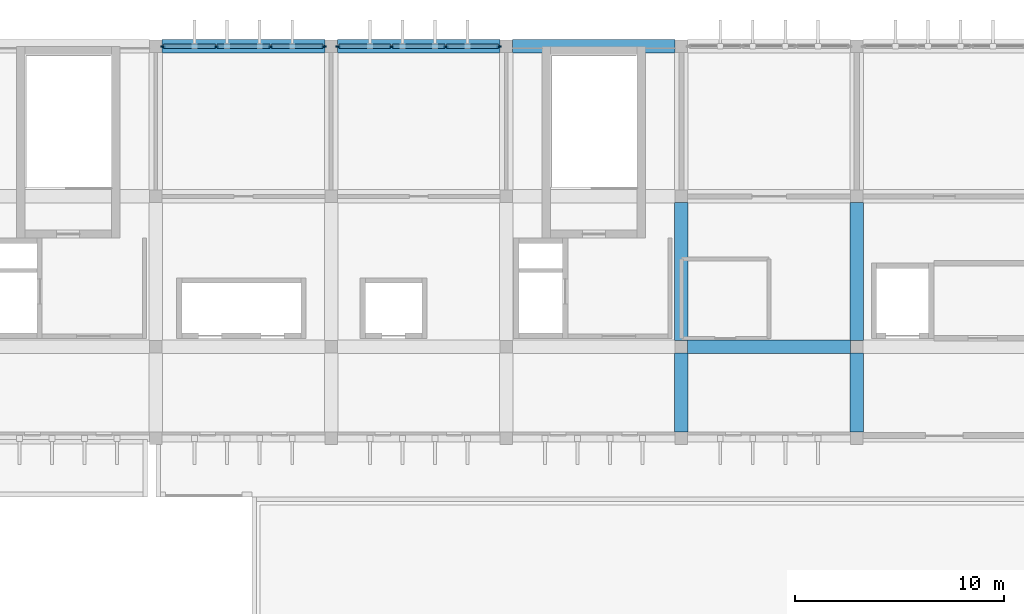
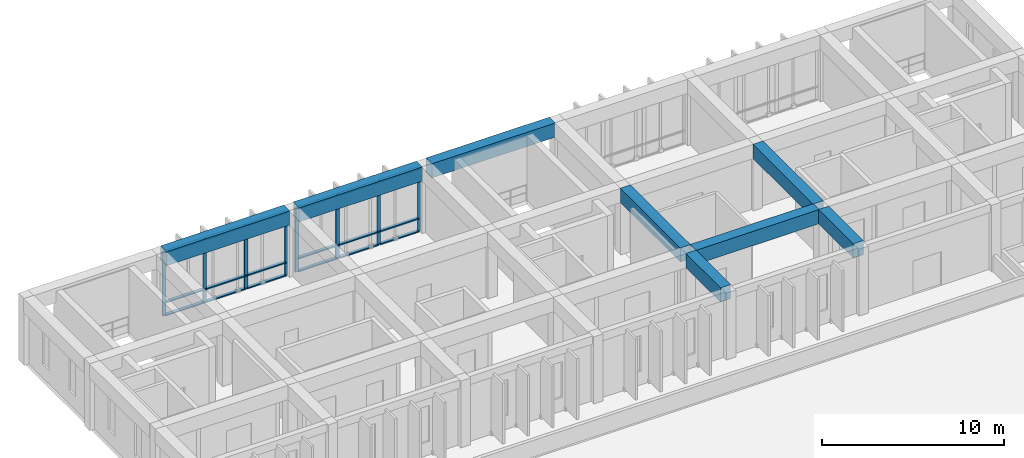
# One storey, part 8 of 16: 26 members, 8 beams, 2 elements without a shape of their own.
"""IFC4 building model written with IfcOpenShell, lengths in metres."""

import ifcopenshell
import ifcopenshell.guid

model = None  # the IFC model being written
_history = None  # IfcOwnerHistory: only IFC2X3 demands one
_inside = {}  # id of a spatial element -> (the spatial element, [elements in it])
_under = {}  # id of a project, library or spatial element -> (it, [spatial elements below it])
_declared = {}  # id of a project -> (the project, [libraries it declares])
_typed = {}  # id of a type object -> (the type object, [elements of that type])
_made_of = {}  # id of a material, layer set ... -> (it, [elements and type objects made of it])


def new_model(schema):
    """Start an empty IFC model of exactly this schema.

    Asked for "IFC4X3", IfcOpenShell would pick the latest addendum, in which some entities
    have other attributes; the version numbers below select the first issue.
    IFC2X3 requires an IfcOwnerHistory on every rooted entity: one is made here for all.
    """
    global model, _history
    if schema == "IFC4X3":
        model = ifcopenshell.file(schema_version=(4, 3, 0, 0))
    else:
        model = ifcopenshell.file(schema=schema)
    _inside.clear()
    _under.clear()
    _declared.clear()
    _typed.clear()
    _made_of.clear()
    _history = None
    if model.schema == "IFC2X3":
        org = make("IfcOrganization", Name="unknown")
        user = make(
            "IfcPersonAndOrganization",
            ThePerson=make("IfcPerson", FamilyName="unknown"),
            TheOrganization=org,
        )
        app = make(
            "IfcApplication",
            ApplicationDeveloper=org,
            Version="unknown",
            ApplicationFullName="unknown",
            ApplicationIdentifier="unknown",
        )
        _history = make(
            "IfcOwnerHistory",
            OwningUser=user,
            OwningApplication=app,
            ChangeAction="ADDED",
            CreationDate=0,
        )
    return model


def make(cls, **values):
    """One entity of the class cls with the attributes given. An attribute that is None is left unset."""
    return model.create_entity(
        cls, **{name: value for name, value in values.items() if value is not None}
    )


def rooted(cls, **values):
    """An entity with a GlobalId (a new one), such as an element, a storey or a relation."""
    return make(cls, GlobalId=ifcopenshell.guid.new(), OwnerHistory=_history, **values)


def si_unit(unit_type, name, prefix=None):
    """IfcSIUnit, for example si_unit("LENGTHUNIT", "METRE", prefix="MILLI")."""
    return make("IfcSIUnit", UnitType=unit_type, Prefix=prefix, Name=name)


def assignment(units):
    """IfcUnitAssignment: the units of a project."""
    return None if units is None else make("IfcUnitAssignment", Units=units)


def point(xyz):
    """IfcCartesianPoint."""
    return None if xyz is None else make("IfcCartesianPoint", Coordinates=xyz)


def direction(xyz):
    """IfcDirection."""
    return None if xyz is None else make("IfcDirection", DirectionRatios=xyz)


def frame(location, z_axis=None, x_axis=None):
    """IfcAxis2Placement3D, a coordinate frame: its origin and axes. An axis left out is left unset."""
    return make(
        "IfcAxis2Placement3D",
        Location=point(location),
        Axis=direction(z_axis),
        RefDirection=direction(x_axis),
    )


def frame_2d(location, x_axis=None):
    """IfcAxis2Placement2D, a coordinate frame in the plane: its origin and x axis."""
    return make(
        "IfcAxis2Placement2D", Location=point(location), RefDirection=direction(x_axis)
    )


def origin():
    """The frame at (0, 0, 0) with its axes left unset."""
    return frame((0.0, 0.0, 0.0))


def origin_2d():
    """The frame at (0, 0) in the plane with its x axis left unset."""
    return frame_2d((0.0, 0.0))


def place(relative_to, where):
    """IfcLocalPlacement: puts the frame where relative to a parent placement (None: the world)."""
    return make(
        "IfcLocalPlacement", PlacementRelTo=relative_to, RelativePlacement=where
    )


def context(
    kind, dimensions, precision=None, world=None, true_north=None, identifier=None
):
    """IfcGeometricRepresentationContext, for example the 3D "Model" context."""
    return make(
        "IfcGeometricRepresentationContext",
        ContextIdentifier=identifier,
        ContextType=kind,
        CoordinateSpaceDimension=dimensions,
        Precision=precision,
        WorldCoordinateSystem=world,
        TrueNorth=true_north,
    )


def subcontext(parent, identifier, kind, view, scale=None):
    """IfcGeometricRepresentationSubContext, for example "Body" below "Model"."""
    return make(
        "IfcGeometricRepresentationSubContext",
        ContextIdentifier=identifier,
        ContextType=kind,
        ParentContext=parent,
        TargetScale=scale,
        TargetView=view,
    )


def project(units=None, contexts=None):
    """IfcProject with its units and contexts."""
    return rooted(
        "IfcProject",
        Name="project",
        RepresentationContexts=contexts,
        UnitsInContext=assignment(units),
    )


def spatial(cls, under=None, at=None, **own):
    """A site, building, storey or space (cls), placed at a placement, below another one or the project."""
    s = rooted(cls, ObjectPlacement=at, **own)
    if under is not None:
        _under.setdefault(under.id(), (under, []))[1].append(s)
    return s


def profile(cls, at=None, kind="AREA", **sizes):
    """A parametric profile (cls). Its sizes go by their IFC names, for example OverallWidth=200.0."""
    return make(cls, ProfileType=kind, Position=at, **sizes)


def rectangle(**sizes):
    """IfcRectangleProfileDef."""
    return profile("IfcRectangleProfileDef", **sizes)


def extrude(swept, where, along, depth):
    """IfcExtrudedAreaSolid: the profile swept, set in the frame where, extruded along a direction by depth."""
    return make(
        "IfcExtrudedAreaSolid",
        SweptArea=swept,
        Position=where,
        ExtrudedDirection=direction(along),
        Depth=depth,
    )


def shape(context_of_items, identifier, shape_type, items):
    """IfcShapeRepresentation: the items that make up one representation, for example the "Body"."""
    return make(
        "IfcShapeRepresentation",
        ContextOfItems=context_of_items,
        RepresentationIdentifier=identifier,
        RepresentationType=shape_type,
        Items=items,
    )


def material(Name=None, Category=None):
    """IfcMaterial."""
    return make("IfcMaterial", Name=Name, Category=Category)


def material_profile(
    of_material, cross_section, Name=None, Category=None, Priority=None
):
    """IfcMaterialProfile: a cross section and its material."""
    return make(
        "IfcMaterialProfile",
        Name=Name,
        Material=of_material,
        Profile=cross_section,
        Priority=Priority,
        Category=Category,
    )


def profile_set(profiles, Name=None, composite=None):
    """IfcMaterialProfileSet."""
    return make(
        "IfcMaterialProfileSet",
        Name=Name,
        MaterialProfiles=profiles,
        CompositeProfile=composite,
    )


def made_of(thing, what):
    """Note that an element or type object is made of a material, layer set ...; save() writes the relation."""
    if what is not None:
        _made_of.setdefault(what.id(), (what, []))[1].append(thing)
    return thing


def type_object(cls, material=None, **own):
    """A type object (cls), such as IfcWallType, which elements share."""
    return made_of(rooted(cls, **own), material)


def element(
    cls,
    number,
    at=None,
    inside=None,
    cuts=None,
    type_object=None,
    material=None,
    context=None,
    identifier="Body",
    shape_type=None,
    held_by="IfcProductDefinitionShape",
    body=None,
    shapes=None,
    **own,
):
    """One element of the class cls, such as IfcWall. Its Tag is "e" and its number.

    at: its placement. inside: the storey or other place that contains it. cuts: it is an
    opening in that element (IfcRelVoidsElement). A single representation is given by context,
    identifier, shape_type and body (its items); several are given by shapes. held_by: the class
    of the entity that holds the representations. save() writes the other relations.
    """
    e = rooted(cls, Tag="e%d" % number, ObjectPlacement=at, **own)
    if body is not None:
        shapes = [shape(context, identifier, shape_type, body)]
    if shapes is not None:
        e.Representation = make(held_by, Representations=shapes)
    if inside is not None:
        _inside.setdefault(inside.id(), (inside, []))[1].append(e)
    if cuts is not None:
        rooted(
            "IfcRelVoidsElement", RelatingBuildingElement=cuts, RelatedOpeningElement=e
        )
    if type_object is not None:
        _typed.setdefault(type_object.id(), (type_object, []))[1].append(e)
    return made_of(e, material)


def aggregate(whole, parts):
    """IfcRelAggregates: a whole, such as a stair, and the parts it consists of."""
    return rooted("IfcRelAggregates", RelatingObject=whole, RelatedObjects=parts)


def save(model, path):
    """Write the relations noted so far, then the file.

    IfcRelAggregates (storeys below a building ...), IfcRelContainedInSpatialStructure (elements
    in a storey), IfcRelDefinesByType, IfcRelAssociatesMaterial and IfcRelDeclares: one each for
    every whole, place, type object, material and project.
    """
    for whole, parts in _under.values():
        aggregate(whole, parts)
    for where, things in _inside.values():
        rooted(
            "IfcRelContainedInSpatialStructure",
            RelatedElements=things,
            RelatingStructure=where,
        )
    for kind, things in _typed.values():
        rooted("IfcRelDefinesByType", RelatedObjects=things, RelatingType=kind)
    for what, things in _made_of.values():
        rooted("IfcRelAssociatesMaterial", RelatedObjects=things, RelatingMaterial=what)
    for by, libraries in _declared.values():
        rooted("IfcRelDeclares", RelatingContext=by, RelatedDefinitions=libraries)
    model.write(path)


model = new_model("IFC4")

# Units and contexts
model_context = context("Model", 3, precision=1e-05, world=origin(), true_north=direction((0.0, 1.0)))
body_context = subcontext(model_context, "Body", "Model", "MODEL_VIEW")
ifc_project = project(units=[si_unit("LENGTHUNIT", "METRE"), si_unit("AREAUNIT", "SQUARE_METRE"), si_unit("VOLUMEUNIT", "CUBIC_METRE"), si_unit("PLANEANGLEUNIT", "RADIAN"), si_unit("MASSUNIT", "GRAM", prefix="KILO")], contexts=[model_context])

# Site, building, storey
site_placement = place(None, origin())
site = spatial("IfcSite", under=ifc_project, at=site_placement, CompositionType="ELEMENT")
building_placement = place(site_placement, origin())
building = spatial("IfcBuilding", under=site, at=building_placement, Name="Kenerak Square Central Library", CompositionType="ELEMENT")
storey_placement = place(building_placement, frame((0.0, 0.0, 27.840087890625)))
storey = spatial("IfcBuildingStorey", under=building, at=storey_placement, Name="L06", CompositionType="ELEMENT", Elevation=27.840087890625)

# Beams
ifc_material_1 = material(Name="Concrete C45/55", Category="concrete")
ifc_material_profile_1 = material_profile(ifc_material_1, rectangle(XDim=0.64990234375, YDim=0.949951171875, at=origin_2d()), Name="RC 650x950")
ifc_profile_set_1 = profile_set([ifc_material_profile_1], Name="Concrete C45/55")
beam_type = type_object("IfcBeamType", Name="Book Stack Girder B-02 RC 650x950 C45/55", PredefinedType="BEAM", material=ifc_profile_set_1)
beam_1_placement = place(storey_placement, frame((92.0, 91.89990234375, 4.0048828125), z_axis=(0.0, 1.0, 0.0), x_axis=(-1.0, 0.0, 0.0)))
element("IfcBeam", 1, at=beam_1_placement, inside=storey, type_object=beam_type, Name="Roof Girder B-02 L06 11-92", PredefinedType="BEAM", context=body_context, shape_type="SweptSolid", body=[
    extrude(rectangle(XDim=0.64990234375, YDim=0.949951171875, at=origin_2d()), origin(), (0.0, 0.0, 1.0), 3.800048828125),
])
beam_2_placement = place(storey_placement, frame((92.0, 96.300048828125, 4.0048828125), z_axis=(0.0, 1.0, 0.0), x_axis=(-1.0, 0.0, 0.0)))
element("IfcBeam", 2, at=beam_2_placement, inside=storey, type_object=beam_type, Name="Roof Girder B-02 L06 11-96", PredefinedType="BEAM", context=body_context, shape_type="SweptSolid", body=[
    extrude(rectangle(XDim=0.64990234375, YDim=0.949951171875, at=origin_2d()), origin(), (0.0, 0.0, 1.0), 6.599853515625),
])
beam_3_placement = place(storey_placement, frame((100.39990234375, 91.89990234375, 4.0048828125), z_axis=(0.0, 1.0, 0.0), x_axis=(-1.0, 0.0, 0.0)))
element("IfcBeam", 3, at=beam_3_placement, inside=storey, type_object=beam_type, Name="Roof Girder B-02 L06 12-92", PredefinedType="BEAM", context=body_context, shape_type="SweptSolid", body=[
    extrude(rectangle(XDim=0.64990234375, YDim=0.949951171875, at=origin_2d()), origin(), (0.0, 0.0, 1.0), 3.800048828125),
])
beam_4_placement = place(storey_placement, frame((100.39990234375, 96.300048828125, 4.0048828125), z_axis=(0.0, 1.0, 0.0), x_axis=(-1.0, 0.0, 0.0)))
element("IfcBeam", 4, at=beam_4_placement, inside=storey, type_object=beam_type, Name="Roof Girder B-02 L06 12-96", PredefinedType="BEAM", context=body_context, shape_type="SweptSolid", body=[
    extrude(rectangle(XDim=0.64990234375, YDim=0.949951171875, at=origin_2d()), origin(), (0.0, 0.0, 1.0), 6.599853515625),
])
beam_5_placement = place(storey_placement, frame((92.300048828125, 96.0, 4.0048828125), z_axis=(1.0, 0.0, 0.0), x_axis=(0.0, 1.0, 0.0)))
element("IfcBeam", 5, at=beam_5_placement, inside=storey, type_object=beam_type, Name="Roof Girder B-02 L06 EW-92-96", PredefinedType="BEAM", context=body_context, shape_type="SweptSolid", body=[
    extrude(rectangle(XDim=0.64990234375, YDim=0.949951171875, at=origin_2d()), origin(), (0.0, 0.0, 1.0), 7.800048828125),
])
beam_6_placement = place(storey_placement, frame((67.10009765625, 110.39990234375, 4.0048828125), z_axis=(1.0, 0.0, 0.0), x_axis=(0.0, 1.0, 0.0)))
element("IfcBeam", 6, at=beam_6_placement, inside=storey, type_object=beam_type, Name="Roof Girder B-02 L06 EW-67-110", PredefinedType="BEAM", context=body_context, shape_type="SweptSolid", body=[
    extrude(rectangle(XDim=0.64990234375, YDim=0.949951171875, at=origin_2d()), origin(), (0.0, 0.0, 1.0), 7.7998046875),
])
for number, where, z_axis, x_axis, name in (
    (7, (75.5, 110.39990234375, 4.0048828125), (1.0, 0.0, 0.0), (0.0, 1.0, 0.0), "Roof Girder B-02 L06 EW-75-110"),
    (8, (83.89990234375, 110.39990234375, 4.0048828125), (1.0, 0.0, 0.0), (0.0, 1.0, 0.0), "Roof Girder B-02 L06 EW-84-110"),
):
    element("IfcBeam", number, at=place(storey_placement, frame(where, z_axis=z_axis, x_axis=x_axis)), inside=storey, type_object=beam_type, Name=name, PredefinedType="BEAM", context=body_context, shape_type="SweptSolid", body=[
        extrude(rectangle(XDim=0.64990234375, YDim=0.949951171875, at=origin_2d()), origin(), (0.0, 0.0, 1.0), 7.800048828125),
    ])

# Curtain wall, members
ifc_material_2 = material(Name="Anodised aluminium and solar-control low-E glazing", Category="aluminium")
curtain_wall_type = type_object("IfcCurtainWallType", Name="Curtain Wall CW-V5-78x42 7800x4280", PredefinedType="USERDEFINED", material=ifc_material_2)
curtain_wall_1_placement = place(storey_placement, origin())
curtain_wall_1 = element("IfcCurtainWall", 9, at=curtain_wall_1_placement, inside=storey, type_object=curtain_wall_type, Name="Curtain Wall CW-V5-78x42 L06 0163", ObjectType="CURTAIN WALL", PredefinedType="USERDEFINED")
ifc_material_3 = material(Name="Anodised aluminium 6063-T6", Category="aluminium")
ifc_material_profile_2 = material_profile(ifc_material_3, rectangle(XDim=0.074951171875, YDim=0.219970703125, at=origin_2d()), Name="AL MULLION 75x220")
ifc_profile_set_2 = profile_set([ifc_material_profile_2], Name="Anodised aluminium 6063-T6")
member_type_1 = type_object("IfcMemberType", Name="Curtain Mullion CM-02 75x220", PredefinedType="MULLION", material=ifc_profile_set_2)
member_1_placement = place(storey_placement, frame((67.137451171875, 110.39990234375, 0.0), z_axis=(0.0, 0.0, 1.0), x_axis=(0.0, 1.0, 0.0)))
member_1 = element("IfcMember", 10, at=member_1_placement, type_object=member_type_1, Name="CW-V5-78x42 Mullion 1", PredefinedType="MULLION", context=body_context, shape_type="SweptSolid", body=[
    extrude(rectangle(XDim=0.074951171875, YDim=0.219970703125, at=origin_2d()), origin(), (0.0, 0.0, 1.0), 4.280029296875),
])
member_2_placement = place(storey_placement, frame((69.699951171875, 110.39990234375, 0.0), z_axis=(0.0, 0.0, 1.0), x_axis=(0.0, 1.0, 0.0)))
member_2 = element("IfcMember", 11, at=member_2_placement, type_object=member_type_1, Name="CW-V5-78x42 Mullion 2", PredefinedType="MULLION", context=body_context, shape_type="SweptSolid", body=[
    extrude(rectangle(XDim=0.074951171875, YDim=0.219970703125, at=origin_2d()), origin(), (0.0, 0.0, 1.0), 4.280029296875),
])
member_3_placement = place(storey_placement, frame((72.300048828125, 110.39990234375, 0.0), z_axis=(0.0, 0.0, 1.0), x_axis=(0.0, 1.0, 0.0)))
member_3 = element("IfcMember", 12, at=member_3_placement, type_object=member_type_1, Name="CW-V5-78x42 Mullion 3", PredefinedType="MULLION", context=body_context, shape_type="SweptSolid", body=[
    extrude(rectangle(XDim=0.074951171875, YDim=0.219970703125, at=origin_2d()), origin(), (0.0, 0.0, 1.0), 4.280029296875),
])
member_4_placement = place(storey_placement, frame((74.862548828125, 110.39990234375, 0.0), z_axis=(0.0, 0.0, 1.0), x_axis=(0.0, 1.0, 0.0)))
member_4 = element("IfcMember", 13, at=member_4_placement, type_object=member_type_1, Name="CW-V5-78x42 Mullion 4", PredefinedType="MULLION", context=body_context, shape_type="SweptSolid", body=[
    extrude(rectangle(XDim=0.074951171875, YDim=0.219970703125, at=origin_2d()), origin(), (0.0, 0.0, 1.0), 4.280029296875),
])

curtain_wall_2_placement = place(storey_placement, origin())
curtain_wall_2 = element("IfcCurtainWall", 14, at=curtain_wall_2_placement, inside=storey, type_object=curtain_wall_type, Name="Curtain Wall CW-V5-78x42 L06 0164", ObjectType="CURTAIN WALL", PredefinedType="USERDEFINED")
member_5_placement = place(storey_placement, frame((75.53759765625, 110.39990234375, 0.0), z_axis=(0.0, 0.0, 1.0), x_axis=(0.0, 1.0, 0.0)))
member_5 = element("IfcMember", 15, at=member_5_placement, type_object=member_type_1, Name="CW-V5-78x42 Mullion 1", PredefinedType="MULLION", context=body_context, shape_type="SweptSolid", body=[
    extrude(rectangle(XDim=0.074951171875, YDim=0.219970703125, at=origin_2d()), origin(), (0.0, 0.0, 1.0), 4.280029296875),
])
member_6_placement = place(storey_placement, frame((78.10009765625, 110.39990234375, 0.0), z_axis=(0.0, 0.0, 1.0), x_axis=(0.0, 1.0, 0.0)))
member_6 = element("IfcMember", 16, at=member_6_placement, type_object=member_type_1, Name="CW-V5-78x42 Mullion 2", PredefinedType="MULLION", context=body_context, shape_type="SweptSolid", body=[
    extrude(rectangle(XDim=0.074951171875, YDim=0.219970703125, at=origin_2d()), origin(), (0.0, 0.0, 1.0), 4.280029296875),
])
member_7_placement = place(storey_placement, frame((80.699951171875, 110.39990234375, 0.0), z_axis=(0.0, 0.0, 1.0), x_axis=(0.0, 1.0, 0.0)))
member_7 = element("IfcMember", 17, at=member_7_placement, type_object=member_type_1, Name="CW-V5-78x42 Mullion 3", PredefinedType="MULLION", context=body_context, shape_type="SweptSolid", body=[
    extrude(rectangle(XDim=0.074951171875, YDim=0.219970703125, at=origin_2d()), origin(), (0.0, 0.0, 1.0), 4.280029296875),
])
member_8_placement = place(storey_placement, frame((83.262451171875, 110.39990234375, 0.0), z_axis=(0.0, 0.0, 1.0), x_axis=(0.0, 1.0, 0.0)))
member_8 = element("IfcMember", 18, at=member_8_placement, type_object=member_type_1, Name="CW-V5-78x42 Mullion 4", PredefinedType="MULLION", context=body_context, shape_type="SweptSolid", body=[
    extrude(rectangle(XDim=0.074951171875, YDim=0.219970703125, at=origin_2d()), origin(), (0.0, 0.0, 1.0), 4.280029296875),
])

# Member
ifc_material_profile_3 = material_profile(ifc_material_3, rectangle(XDim=0.199951171875, YDim=0.074951171875, at=origin_2d()), Name="AL TRANSOM 200x75")
ifc_profile_set_3 = profile_set([ifc_material_profile_3], Name="Anodised aluminium 6063-T6")
member_type_2 = type_object("IfcMemberType", Name="Curtain Transom CT-12 200x75", PredefinedType="USERDEFINED", material=ifc_profile_set_3)
member_9_placement = place(storey_placement, frame((67.175048828125, 110.39990234375, 0.037353515625), z_axis=(1.0, 0.0, 0.0), x_axis=(0.0, 1.0, 0.0)))
member_9 = element("IfcMember", 19, at=member_9_placement, type_object=member_type_2, Name="CW-V5-78x42 Transom 1.1", ObjectType="TRANSOM", PredefinedType="USERDEFINED", context=body_context, shape_type="SweptSolid", body=[
    extrude(rectangle(XDim=0.199951171875, YDim=0.074951171875, at=origin_2d()), origin(), (0.0, 0.0, 1.0), 2.487548828125),
])

member_10_placement = place(storey_placement, frame((67.175048828125, 110.39990234375, 0.89990234375), z_axis=(1.0, 0.0, 0.0), x_axis=(0.0, 1.0, 0.0)))
member_10 = element("IfcMember", 20, at=member_10_placement, type_object=member_type_2, Name="CW-V5-78x42 Transom 1.2", ObjectType="TRANSOM", PredefinedType="USERDEFINED", context=body_context, shape_type="SweptSolid", body=[
    extrude(rectangle(XDim=0.199951171875, YDim=0.074951171875, at=origin_2d()), origin(), (0.0, 0.0, 1.0), 2.487548828125),
])

member_11_placement = place(storey_placement, frame((67.175048828125, 110.39990234375, 4.242431640625), z_axis=(1.0, 0.0, 0.0), x_axis=(0.0, 1.0, 0.0)))
member_11 = element("IfcMember", 21, at=member_11_placement, type_object=member_type_2, Name="CW-V5-78x42 Transom 1.3", ObjectType="TRANSOM", PredefinedType="USERDEFINED", context=body_context, shape_type="SweptSolid", body=[
    extrude(rectangle(XDim=0.199951171875, YDim=0.074951171875, at=origin_2d()), origin(), (0.0, 0.0, 1.0), 2.487548828125),
])

member_12_placement = place(storey_placement, frame((69.737548828125, 110.39990234375, 0.037353515625), z_axis=(1.0, 0.0, 0.0), x_axis=(0.0, 1.0, 0.0)))
member_12 = element("IfcMember", 22, at=member_12_placement, type_object=member_type_2, Name="CW-V5-78x42 Transom 2.1", ObjectType="TRANSOM", PredefinedType="USERDEFINED", context=body_context, shape_type="SweptSolid", body=[
    extrude(rectangle(XDim=0.199951171875, YDim=0.074951171875, at=origin_2d()), origin(), (0.0, 0.0, 1.0), 2.52490234375),
])

member_13_placement = place(storey_placement, frame((69.737548828125, 110.39990234375, 0.89990234375), z_axis=(1.0, 0.0, 0.0), x_axis=(0.0, 1.0, 0.0)))
member_13 = element("IfcMember", 23, at=member_13_placement, type_object=member_type_2, Name="CW-V5-78x42 Transom 2.2", ObjectType="TRANSOM", PredefinedType="USERDEFINED", context=body_context, shape_type="SweptSolid", body=[
    extrude(rectangle(XDim=0.199951171875, YDim=0.074951171875, at=origin_2d()), origin(), (0.0, 0.0, 1.0), 2.52490234375),
])

member_14_placement = place(storey_placement, frame((69.737548828125, 110.39990234375, 4.242431640625), z_axis=(1.0, 0.0, 0.0), x_axis=(0.0, 1.0, 0.0)))
member_14 = element("IfcMember", 24, at=member_14_placement, type_object=member_type_2, Name="CW-V5-78x42 Transom 2.3", ObjectType="TRANSOM", PredefinedType="USERDEFINED", context=body_context, shape_type="SweptSolid", body=[
    extrude(rectangle(XDim=0.199951171875, YDim=0.074951171875, at=origin_2d()), origin(), (0.0, 0.0, 1.0), 2.52490234375),
])

member_15_placement = place(storey_placement, frame((72.33740234375, 110.39990234375, 0.037353515625), z_axis=(1.0, 0.0, 0.0), x_axis=(0.0, 1.0, 0.0)))
member_15 = element("IfcMember", 25, at=member_15_placement, type_object=member_type_2, Name="CW-V5-78x42 Transom 3.1", ObjectType="TRANSOM", PredefinedType="USERDEFINED", context=body_context, shape_type="SweptSolid", body=[
    extrude(rectangle(XDim=0.199951171875, YDim=0.074951171875, at=origin_2d()), origin(), (0.0, 0.0, 1.0), 2.487548828125),
])

member_16_placement = place(storey_placement, frame((72.33740234375, 110.39990234375, 0.89990234375), z_axis=(1.0, 0.0, 0.0), x_axis=(0.0, 1.0, 0.0)))
member_16 = element("IfcMember", 26, at=member_16_placement, type_object=member_type_2, Name="CW-V5-78x42 Transom 3.2", ObjectType="TRANSOM", PredefinedType="USERDEFINED", context=body_context, shape_type="SweptSolid", body=[
    extrude(rectangle(XDim=0.199951171875, YDim=0.074951171875, at=origin_2d()), origin(), (0.0, 0.0, 1.0), 2.487548828125),
])

member_17_placement = place(storey_placement, frame((72.33740234375, 110.39990234375, 4.242431640625), z_axis=(1.0, 0.0, 0.0), x_axis=(0.0, 1.0, 0.0)))
member_17 = element("IfcMember", 27, at=member_17_placement, type_object=member_type_2, Name="CW-V5-78x42 Transom 3.3", ObjectType="TRANSOM", PredefinedType="USERDEFINED", context=body_context, shape_type="SweptSolid", body=[
    extrude(rectangle(XDim=0.199951171875, YDim=0.074951171875, at=origin_2d()), origin(), (0.0, 0.0, 1.0), 2.487548828125),
])

aggregate(curtain_wall_1, [member_1, member_2, member_3, member_4, member_9, member_10, member_11, member_12, member_13, member_14, member_15, member_16, member_17])

member_18_placement = place(storey_placement, frame((75.574951171875, 110.39990234375, 0.037353515625), z_axis=(1.0, 0.0, 0.0), x_axis=(0.0, 1.0, 0.0)))
member_18 = element("IfcMember", 28, at=member_18_placement, type_object=member_type_2, Name="CW-V5-78x42 Transom 1.1", ObjectType="TRANSOM", PredefinedType="USERDEFINED", context=body_context, shape_type="SweptSolid", body=[
    extrude(rectangle(XDim=0.199951171875, YDim=0.074951171875, at=origin_2d()), origin(), (0.0, 0.0, 1.0), 2.487548828125),
])

member_19_placement = place(storey_placement, frame((75.574951171875, 110.39990234375, 0.89990234375), z_axis=(1.0, 0.0, 0.0), x_axis=(0.0, 1.0, 0.0)))
member_19 = element("IfcMember", 29, at=member_19_placement, type_object=member_type_2, Name="CW-V5-78x42 Transom 1.2", ObjectType="TRANSOM", PredefinedType="USERDEFINED", context=body_context, shape_type="SweptSolid", body=[
    extrude(rectangle(XDim=0.199951171875, YDim=0.074951171875, at=origin_2d()), origin(), (0.0, 0.0, 1.0), 2.487548828125),
])

member_20_placement = place(storey_placement, frame((75.574951171875, 110.39990234375, 4.242431640625), z_axis=(1.0, 0.0, 0.0), x_axis=(0.0, 1.0, 0.0)))
member_20 = element("IfcMember", 30, at=member_20_placement, type_object=member_type_2, Name="CW-V5-78x42 Transom 1.3", ObjectType="TRANSOM", PredefinedType="USERDEFINED", context=body_context, shape_type="SweptSolid", body=[
    extrude(rectangle(XDim=0.199951171875, YDim=0.074951171875, at=origin_2d()), origin(), (0.0, 0.0, 1.0), 2.487548828125),
])

member_21_placement = place(storey_placement, frame((78.137451171875, 110.39990234375, 0.037353515625), z_axis=(1.0, 0.0, 0.0), x_axis=(0.0, 1.0, 0.0)))
member_21 = element("IfcMember", 31, at=member_21_placement, type_object=member_type_2, Name="CW-V5-78x42 Transom 2.1", ObjectType="TRANSOM", PredefinedType="USERDEFINED", context=body_context, shape_type="SweptSolid", body=[
    extrude(rectangle(XDim=0.199951171875, YDim=0.074951171875, at=origin_2d()), origin(), (0.0, 0.0, 1.0), 2.525146484375),
])

member_22_placement = place(storey_placement, frame((78.137451171875, 110.39990234375, 0.89990234375), z_axis=(1.0, 0.0, 0.0), x_axis=(0.0, 1.0, 0.0)))
member_22 = element("IfcMember", 32, at=member_22_placement, type_object=member_type_2, Name="CW-V5-78x42 Transom 2.2", ObjectType="TRANSOM", PredefinedType="USERDEFINED", context=body_context, shape_type="SweptSolid", body=[
    extrude(rectangle(XDim=0.199951171875, YDim=0.074951171875, at=origin_2d()), origin(), (0.0, 0.0, 1.0), 2.525146484375),
])

member_23_placement = place(storey_placement, frame((78.137451171875, 110.39990234375, 4.242431640625), z_axis=(1.0, 0.0, 0.0), x_axis=(0.0, 1.0, 0.0)))
member_23 = element("IfcMember", 33, at=member_23_placement, type_object=member_type_2, Name="CW-V5-78x42 Transom 2.3", ObjectType="TRANSOM", PredefinedType="USERDEFINED", context=body_context, shape_type="SweptSolid", body=[
    extrude(rectangle(XDim=0.199951171875, YDim=0.074951171875, at=origin_2d()), origin(), (0.0, 0.0, 1.0), 2.525146484375),
])

member_24_placement = place(storey_placement, frame((80.737548828125, 110.39990234375, 0.037353515625), z_axis=(1.0, 0.0, 0.0), x_axis=(0.0, 1.0, 0.0)))
member_24 = element("IfcMember", 34, at=member_24_placement, type_object=member_type_2, Name="CW-V5-78x42 Transom 3.1", ObjectType="TRANSOM", PredefinedType="USERDEFINED", context=body_context, shape_type="SweptSolid", body=[
    extrude(rectangle(XDim=0.199951171875, YDim=0.074951171875, at=origin_2d()), origin(), (0.0, 0.0, 1.0), 2.487548828125),
])

member_25_placement = place(storey_placement, frame((80.737548828125, 110.39990234375, 0.89990234375), z_axis=(1.0, 0.0, 0.0), x_axis=(0.0, 1.0, 0.0)))
member_25 = element("IfcMember", 35, at=member_25_placement, type_object=member_type_2, Name="CW-V5-78x42 Transom 3.2", ObjectType="TRANSOM", PredefinedType="USERDEFINED", context=body_context, shape_type="SweptSolid", body=[
    extrude(rectangle(XDim=0.199951171875, YDim=0.074951171875, at=origin_2d()), origin(), (0.0, 0.0, 1.0), 2.487548828125),
])

member_26_placement = place(storey_placement, frame((80.737548828125, 110.39990234375, 4.242431640625), z_axis=(1.0, 0.0, 0.0), x_axis=(0.0, 1.0, 0.0)))
member_26 = element("IfcMember", 36, at=member_26_placement, type_object=member_type_2, Name="CW-V5-78x42 Transom 3.3", ObjectType="TRANSOM", PredefinedType="USERDEFINED", context=body_context, shape_type="SweptSolid", body=[
    extrude(rectangle(XDim=0.199951171875, YDim=0.074951171875, at=origin_2d()), origin(), (0.0, 0.0, 1.0), 2.487548828125),
])

aggregate(curtain_wall_2, [member_5, member_6, member_7, member_8, member_18, member_19, member_20, member_21, member_22, member_23, member_24, member_25, member_26])

save(model, "model.ifc")
